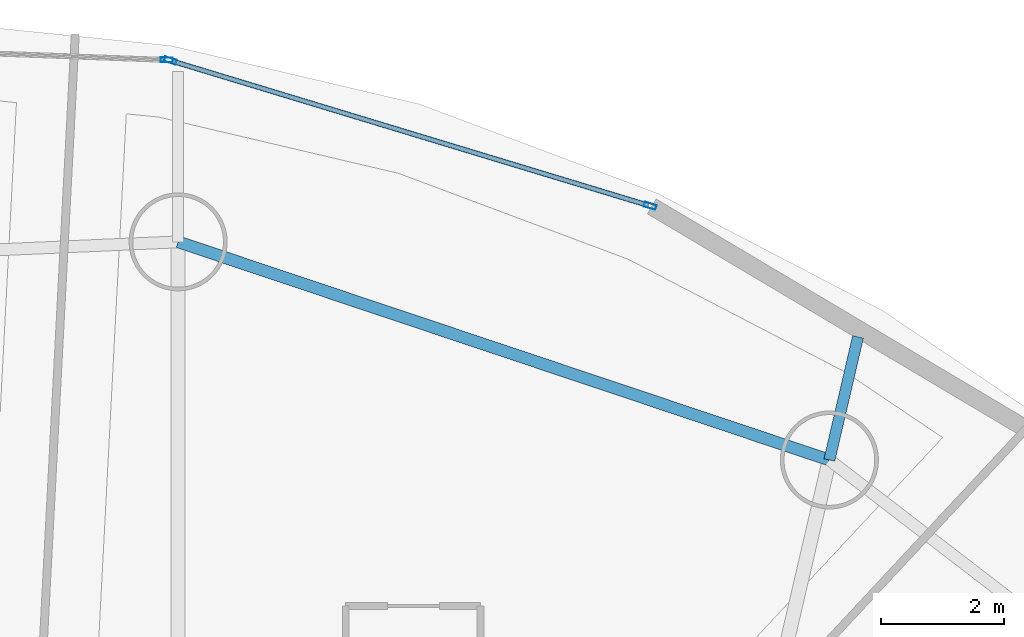
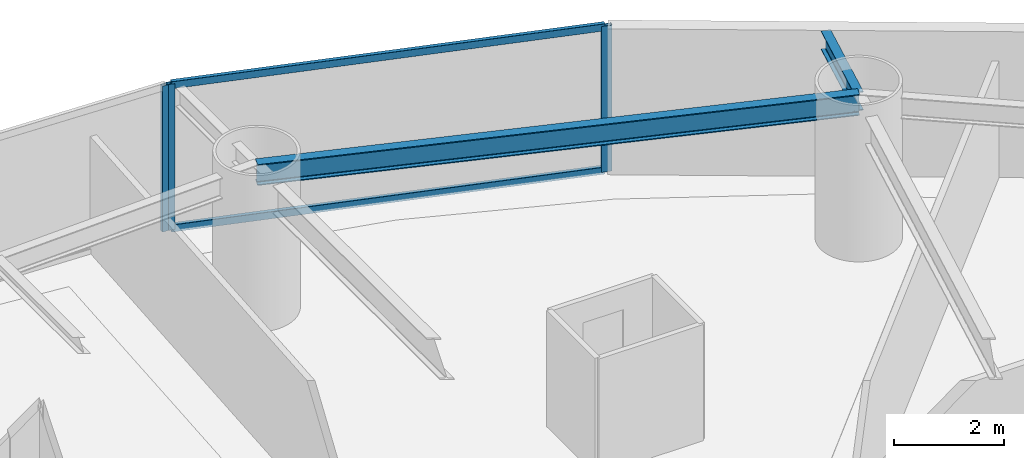
# One storey, part 19 of 27: 5 members, 2 beams, 2 elements without a shape of their own.
"""IFC4 building model written with IfcOpenShell, lengths in metres."""

from ifc_helpers import new_model, si_unit, direction, frame, origin, origin_2d, place, context, subcontext, project, spatial, hollow_rectangle, i_section, extrude, material, layer, layer_set, material_profile, profile_set, type_object, element, aggregate, save


model = new_model("IFC4")

# Units and contexts
model_context = context("Model", 3, precision=1e-05, world=origin(), true_north=direction((0.0, 1.0)))
body_context = subcontext(model_context, "Body", "Model", "MODEL_VIEW")
ifc_project = project(units=[si_unit("LENGTHUNIT", "METRE"), si_unit("AREAUNIT", "SQUARE_METRE"), si_unit("VOLUMEUNIT", "CUBIC_METRE"), si_unit("PLANEANGLEUNIT", "RADIAN"), si_unit("MASSUNIT", "GRAM", prefix="KILO")], contexts=[model_context])

# Site, building, storey
site_placement = place(None, origin())
site = spatial("IfcSite", under=ifc_project, at=site_placement, CompositionType="ELEMENT")
building_placement = place(site_placement, origin())
building = spatial("IfcBuilding", under=site, at=building_placement, Name="Bramvorn Convention Spire", CompositionType="ELEMENT")
storey_placement = place(building_placement, frame((0.0, 0.0, 72.89990234375)))
storey = spatial("IfcBuildingStorey", under=building, at=storey_placement, Name="L16", CompositionType="ELEMENT", Elevation=72.89990234375)

# Beams
ifc_material_1 = material(Name="Steel CSA G40.21 Grade 350 (350W)", Category="steel")
ifc_material_profile_1 = material_profile(ifc_material_1, i_section(OverallWidth=0.180908203125, OverallDepth=0.4169921875, WebThickness=0.010986328125, FlangeThickness=0.018310546875, FilletRadius=0.01611328125, at=origin_2d()))
ifc_profile_set_1 = profile_set([ifc_material_profile_1], Name="Steel CSA G40.21 Grade 350 (350W) - W410X85")
beam_type_1 = type_object("IfcBeamType", Name="BM-W410X85", PredefinedType="JOIST", material=ifc_profile_set_1)
beam_1_placement = place(storey_placement, frame((51.59033203125, 43.509033203125, 3.026611328125), z_axis=(0.226604868186, 0.973986772864, 0.0), x_axis=(-0.973986772864, 0.226604868186, 0.0)))
element("IfcBeam", 1, at=beam_1_placement, inside=storey, type_object=beam_type_1, Name="L16 Sky-Garden cantilever tip girder MC04", PredefinedType="JOIST", context=body_context, shape_type="SweptSolid", body=[
    extrude(i_section(OverallWidth=0.180908203125, OverallDepth=0.4169921875, WebThickness=0.010986328125, FlangeThickness=0.018310546875, FilletRadius=0.01611328125, at=origin_2d()), origin(), (0.0, 0.0, 1.0), 2.063232421875),
])
ifc_material_profile_2 = material_profile(ifc_material_1, i_section(OverallWidth=0.194091796875, OverallDepth=0.468994140625, WebThickness=0.0126953125, FlangeThickness=0.0205078125, FilletRadius=0.01806640625, at=origin_2d()))
ifc_profile_set_2 = profile_set([ifc_material_profile_2], Name="Steel CSA G40.21 Grade 350 (350W) - W460X106")
beam_type_2 = type_object("IfcBeamType", Name="BM-W460X106", PredefinedType="SPANDREL", material=ifc_profile_set_2)
beam_2_placement = place(storey_placement, frame((51.59033203125, 43.509033203125, 3.015625), z_axis=(-0.948235872727, 0.317566890078, 0.0), x_axis=(-0.317566890078, -0.948235872727, 0.0)))
element("IfcBeam", 2, at=beam_2_placement, inside=storey, type_object=beam_type_2, Name="L16 mega-column ring beam 04", PredefinedType="SPANDREL", context=body_context, shape_type="SweptSolid", body=[
    extrude(i_section(OverallWidth=0.194091796875, OverallDepth=0.468994140625, WebThickness=0.0126953125, FlangeThickness=0.0205078125, FilletRadius=0.01806640625, at=origin_2d()), origin(), (0.0, 0.0, 1.0), 11.209716796875),
])

# Curtain wall, members
ifc_material_2 = material(Name="Anodised Bronze Unitised Curtain Wall", Category="aluminium")
ifc_layer = layer(ifc_material_2, 0.179931640625)
ifc_layer_set = layer_set([ifc_layer], Name="Anodised Bronze Unitised Curtain Wall - CW-HTL-FRIT")
curtain_wall_type = type_object("IfcCurtainWallType", Name="CW-HTL-FRIT", PredefinedType="USERDEFINED", material=ifc_layer_set)
curtain_wall_1_placement = place(storey_placement, origin())
curtain_wall_1 = element("IfcCurtainWall", 3, at=curtain_wall_1_placement, inside=storey, type_object=curtain_wall_type, Name="L16 fritted glass curtain wall 06", ObjectType="UNITISED CURTAIN WALL", PredefinedType="USERDEFINED")
ifc_material_3 = material(Name="Anodised Bronze Aluminium 6063-T6", Category="aluminium")
ifc_material_profile_3 = material_profile(ifc_material_3, hollow_rectangle(XDim=0.080078125, YDim=0.199951171875, WallThickness=0.00390625, InnerFilletRadius=0.0009765625, OuterFilletRadius=0.00390625, at=origin_2d()))
ifc_profile_set_3 = profile_set([ifc_material_profile_3], Name="Anodised Bronze Aluminium 6063-T6 - CWM80X200")
member_type_1 = type_object("IfcMemberType", Name="CW-MUL-180", PredefinedType="MULLION", material=ifc_profile_set_3)
member_1_placement = place(storey_placement, frame((40.83447265625, 50.0283203125, 0.0), z_axis=(0.0, 0.0, 1.0), x_axis=(0.289986178877, 0.95703083339, 0.0)))
member_1 = element("IfcMember", 4, at=member_1_placement, type_object=member_type_1, Name="CW2 mullion 1", PredefinedType="MULLION", context=body_context, shape_type="SweptSolid", body=[
    extrude(hollow_rectangle(XDim=0.080078125, YDim=0.199951171875, WallThickness=0.00390625, InnerFilletRadius=0.0009765625, OuterFilletRadius=0.00390625, at=origin_2d()), origin(), (0.0, 0.0, 1.0), 3.25),
])
member_2_placement = place(storey_placement, frame((48.664306640625, 47.65576171875, 0.0), z_axis=(0.0, 0.0, 1.0), x_axis=(0.289986178877, 0.95703083339, 0.0)))
member_2 = element("IfcMember", 5, at=member_2_placement, type_object=member_type_1, Name="CW2 mullion 2", PredefinedType="MULLION", context=body_context, shape_type="SweptSolid", body=[
    extrude(hollow_rectangle(XDim=0.080078125, YDim=0.199951171875, WallThickness=0.00390625, InnerFilletRadius=0.0009765625, OuterFilletRadius=0.00390625, at=origin_2d()), origin(), (0.0, 0.0, 1.0), 3.25),
])

# Curtain wall, member
curtain_wall_2_placement = place(storey_placement, origin())
curtain_wall_2 = element("IfcCurtainWall", 6, at=curtain_wall_2_placement, inside=storey, type_object=curtain_wall_type, Name="L16 fritted glass curtain wall 07", ObjectType="UNITISED CURTAIN WALL", PredefinedType="USERDEFINED")
member_3_placement = place(storey_placement, frame((40.775634765625, 50.0380859375, 0.0), z_axis=(0.0, 0.0, 1.0), x_axis=(0.037396718342, 0.999300498077, 0.0)))
member_3 = element("IfcMember", 7, at=member_3_placement, type_object=member_type_1, Name="CW2 mullion 2", PredefinedType="MULLION", context=body_context, shape_type="SweptSolid", body=[
    extrude(hollow_rectangle(XDim=0.080078125, YDim=0.199951171875, WallThickness=0.00390625, InnerFilletRadius=0.0009765625, OuterFilletRadius=0.00390625, at=origin_2d()), origin(), (0.0, 0.0, 1.0), 3.25),
])
aggregate(curtain_wall_2, [member_3])

# Member
ifc_material_profile_4 = material_profile(ifc_material_3, hollow_rectangle(XDim=0.080078125, YDim=0.159912109375, WallThickness=0.00390625, InnerFilletRadius=0.0009765625, OuterFilletRadius=0.00390625, at=origin_2d()))
ifc_profile_set_4 = profile_set([ifc_material_profile_4], Name="Anodised Bronze Aluminium 6063-T6 - CWT80X160")
member_type_2 = type_object("IfcMemberType", Name="CW-TRN-150", PredefinedType="USERDEFINED", material=ifc_profile_set_4)
member_4_placement = place(storey_placement, frame((40.863037109375, 50.01953125, 0.030029296875), z_axis=(0.957035022624, -0.289972352941, 0.0), x_axis=(0.289972352941, 0.957035022624, 0.0)))
member_4 = element("IfcMember", 8, at=member_4_placement, type_object=member_type_2, Name="CW2 transom 1.1", ObjectType="TRANSOM", PredefinedType="USERDEFINED", context=body_context, shape_type="SweptSolid", body=[
    extrude(hollow_rectangle(XDim=0.080078125, YDim=0.159912109375, WallThickness=0.00390625, InnerFilletRadius=0.0009765625, OuterFilletRadius=0.00390625, at=origin_2d()), origin(), (0.0, 0.0, 1.0), 8.121337890625),
])

member_5_placement = place(storey_placement, frame((40.863037109375, 50.01953125, 3.22021484375), z_axis=(0.957035022624, -0.289972352941, 0.0), x_axis=(0.289972352941, 0.957035022624, 0.0)))
member_5 = element("IfcMember", 9, at=member_5_placement, type_object=member_type_2, Name="CW2 transom 1.2", ObjectType="TRANSOM", PredefinedType="USERDEFINED", context=body_context, shape_type="SweptSolid", body=[
    extrude(hollow_rectangle(XDim=0.080078125, YDim=0.159912109375, WallThickness=0.00390625, InnerFilletRadius=0.0009765625, OuterFilletRadius=0.00390625, at=origin_2d()), origin(), (0.0, 0.0, 1.0), 8.121337890625),
])

aggregate(curtain_wall_1, [member_1, member_2, member_4, member_5])

save(model, "model.ifc")
